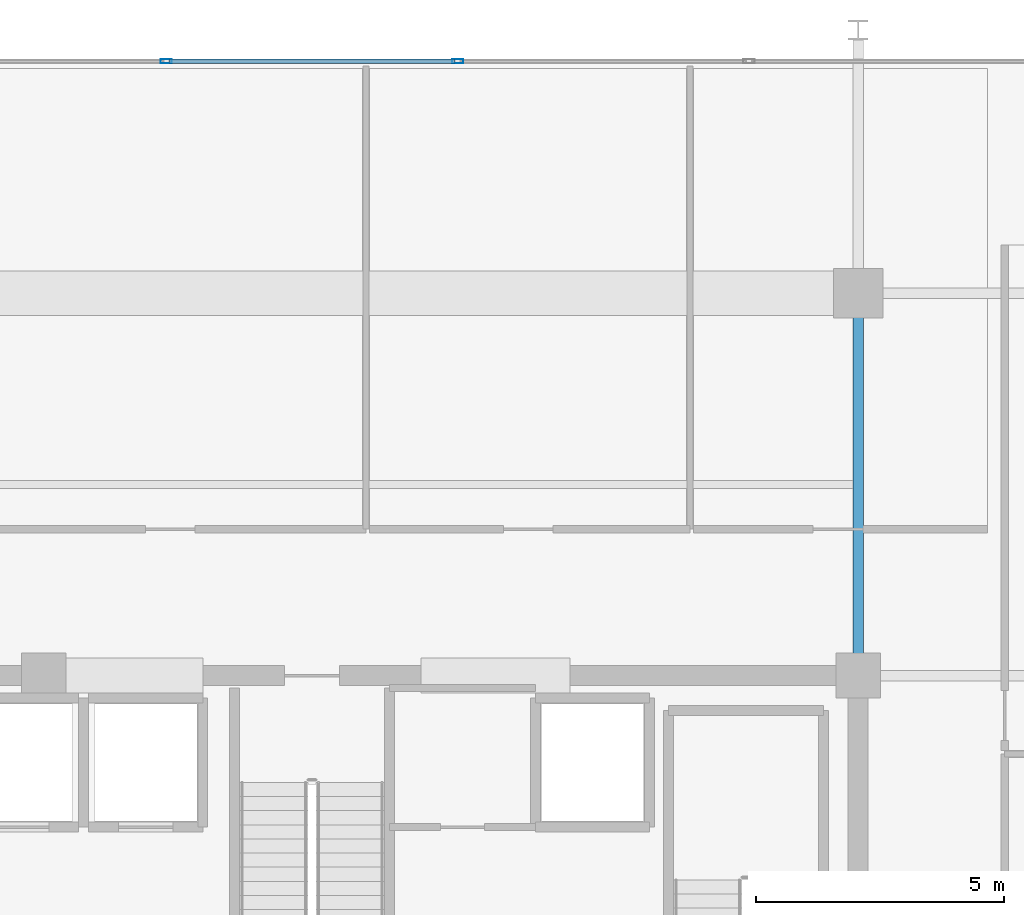
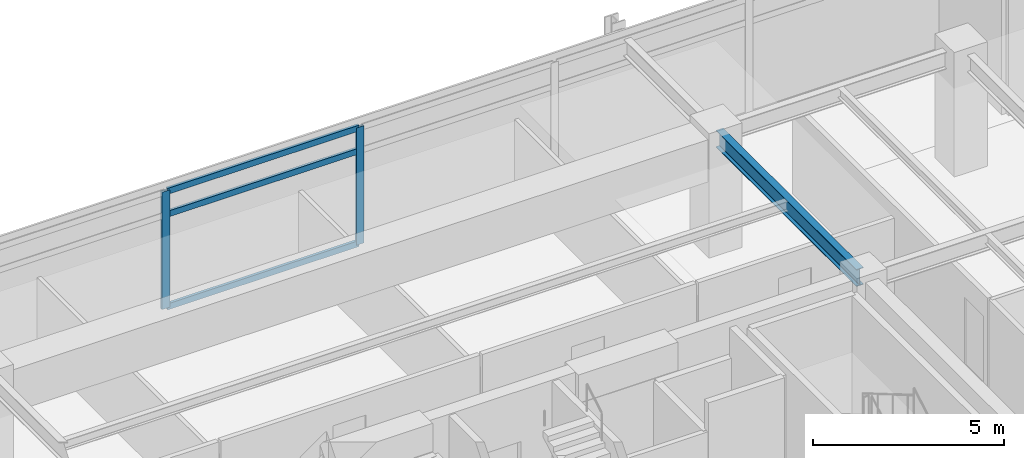
# One storey, part 10 of 21: 5 members, 1 beam, 1 element without a shape of its own.
"""IFC4 building model written with IfcOpenShell, lengths in metres."""

import ifcopenshell
import ifcopenshell.guid

model = None  # the IFC model being written
_history = None  # IfcOwnerHistory: only IFC2X3 demands one
_inside = {}  # id of a spatial element -> (the spatial element, [elements in it])
_under = {}  # id of a project, library or spatial element -> (it, [spatial elements below it])
_declared = {}  # id of a project -> (the project, [libraries it declares])
_typed = {}  # id of a type object -> (the type object, [elements of that type])
_made_of = {}  # id of a material, layer set ... -> (it, [elements and type objects made of it])


def new_model(schema):
    """Start an empty IFC model of exactly this schema.

    Asked for "IFC4X3", IfcOpenShell would pick the latest addendum, in which some entities
    have other attributes; the version numbers below select the first issue.
    IFC2X3 requires an IfcOwnerHistory on every rooted entity: one is made here for all.
    """
    global model, _history
    if schema == "IFC4X3":
        model = ifcopenshell.file(schema_version=(4, 3, 0, 0))
    else:
        model = ifcopenshell.file(schema=schema)
    _inside.clear()
    _under.clear()
    _declared.clear()
    _typed.clear()
    _made_of.clear()
    _history = None
    if model.schema == "IFC2X3":
        org = make("IfcOrganization", Name="unknown")
        user = make(
            "IfcPersonAndOrganization",
            ThePerson=make("IfcPerson", FamilyName="unknown"),
            TheOrganization=org,
        )
        app = make(
            "IfcApplication",
            ApplicationDeveloper=org,
            Version="unknown",
            ApplicationFullName="unknown",
            ApplicationIdentifier="unknown",
        )
        _history = make(
            "IfcOwnerHistory",
            OwningUser=user,
            OwningApplication=app,
            ChangeAction="ADDED",
            CreationDate=0,
        )
    return model


def make(cls, **values):
    """One entity of the class cls with the attributes given. An attribute that is None is left unset."""
    return model.create_entity(
        cls, **{name: value for name, value in values.items() if value is not None}
    )


def rooted(cls, **values):
    """An entity with a GlobalId (a new one), such as an element, a storey or a relation."""
    return make(cls, GlobalId=ifcopenshell.guid.new(), OwnerHistory=_history, **values)


def si_unit(unit_type, name, prefix=None):
    """IfcSIUnit, for example si_unit("LENGTHUNIT", "METRE", prefix="MILLI")."""
    return make("IfcSIUnit", UnitType=unit_type, Prefix=prefix, Name=name)


def assignment(units):
    """IfcUnitAssignment: the units of a project."""
    return None if units is None else make("IfcUnitAssignment", Units=units)


def point(xyz):
    """IfcCartesianPoint."""
    return None if xyz is None else make("IfcCartesianPoint", Coordinates=xyz)


def direction(xyz):
    """IfcDirection."""
    return None if xyz is None else make("IfcDirection", DirectionRatios=xyz)


def frame(location, z_axis=None, x_axis=None):
    """IfcAxis2Placement3D, a coordinate frame: its origin and axes. An axis left out is left unset."""
    return make(
        "IfcAxis2Placement3D",
        Location=point(location),
        Axis=direction(z_axis),
        RefDirection=direction(x_axis),
    )


def frame_2d(location, x_axis=None):
    """IfcAxis2Placement2D, a coordinate frame in the plane: its origin and x axis."""
    return make(
        "IfcAxis2Placement2D", Location=point(location), RefDirection=direction(x_axis)
    )


def origin():
    """The frame at (0, 0, 0) with its axes left unset."""
    return frame((0.0, 0.0, 0.0))


def origin_2d():
    """The frame at (0, 0) in the plane with its x axis left unset."""
    return frame_2d((0.0, 0.0))


def place(relative_to, where):
    """IfcLocalPlacement: puts the frame where relative to a parent placement (None: the world)."""
    return make(
        "IfcLocalPlacement", PlacementRelTo=relative_to, RelativePlacement=where
    )


def context(
    kind, dimensions, precision=None, world=None, true_north=None, identifier=None
):
    """IfcGeometricRepresentationContext, for example the 3D "Model" context."""
    return make(
        "IfcGeometricRepresentationContext",
        ContextIdentifier=identifier,
        ContextType=kind,
        CoordinateSpaceDimension=dimensions,
        Precision=precision,
        WorldCoordinateSystem=world,
        TrueNorth=true_north,
    )


def subcontext(parent, identifier, kind, view, scale=None):
    """IfcGeometricRepresentationSubContext, for example "Body" below "Model"."""
    return make(
        "IfcGeometricRepresentationSubContext",
        ContextIdentifier=identifier,
        ContextType=kind,
        ParentContext=parent,
        TargetScale=scale,
        TargetView=view,
    )


def project(units=None, contexts=None):
    """IfcProject with its units and contexts."""
    return rooted(
        "IfcProject",
        Name="project",
        RepresentationContexts=contexts,
        UnitsInContext=assignment(units),
    )


def spatial(cls, under=None, at=None, **own):
    """A site, building, storey or space (cls), placed at a placement, below another one or the project."""
    s = rooted(cls, ObjectPlacement=at, **own)
    if under is not None:
        _under.setdefault(under.id(), (under, []))[1].append(s)
    return s


def profile(cls, at=None, kind="AREA", **sizes):
    """A parametric profile (cls). Its sizes go by their IFC names, for example OverallWidth=200.0."""
    return make(cls, ProfileType=kind, Position=at, **sizes)


def hollow_rectangle(**sizes):
    """IfcRectangleHollowProfileDef."""
    return profile("IfcRectangleHollowProfileDef", **sizes)


def i_section(**sizes):
    """IfcIShapeProfileDef."""
    return profile("IfcIShapeProfileDef", **sizes)


def extrude(swept, where, along, depth):
    """IfcExtrudedAreaSolid: the profile swept, set in the frame where, extruded along a direction by depth."""
    return make(
        "IfcExtrudedAreaSolid",
        SweptArea=swept,
        Position=where,
        ExtrudedDirection=direction(along),
        Depth=depth,
    )


def shape(context_of_items, identifier, shape_type, items):
    """IfcShapeRepresentation: the items that make up one representation, for example the "Body"."""
    return make(
        "IfcShapeRepresentation",
        ContextOfItems=context_of_items,
        RepresentationIdentifier=identifier,
        RepresentationType=shape_type,
        Items=items,
    )


def material(Name=None, Category=None):
    """IfcMaterial."""
    return make("IfcMaterial", Name=Name, Category=Category)


def material_profile(
    of_material, cross_section, Name=None, Category=None, Priority=None
):
    """IfcMaterialProfile: a cross section and its material."""
    return make(
        "IfcMaterialProfile",
        Name=Name,
        Material=of_material,
        Profile=cross_section,
        Priority=Priority,
        Category=Category,
    )


def profile_set(profiles, Name=None, composite=None):
    """IfcMaterialProfileSet."""
    return make(
        "IfcMaterialProfileSet",
        Name=Name,
        MaterialProfiles=profiles,
        CompositeProfile=composite,
    )


def made_of(thing, what):
    """Note that an element or type object is made of a material, layer set ...; save() writes the relation."""
    if what is not None:
        _made_of.setdefault(what.id(), (what, []))[1].append(thing)
    return thing


def type_object(cls, material=None, **own):
    """A type object (cls), such as IfcWallType, which elements share."""
    return made_of(rooted(cls, **own), material)


def element(
    cls,
    number,
    at=None,
    inside=None,
    cuts=None,
    type_object=None,
    material=None,
    context=None,
    identifier="Body",
    shape_type=None,
    held_by="IfcProductDefinitionShape",
    body=None,
    shapes=None,
    **own,
):
    """One element of the class cls, such as IfcWall. Its Tag is "e" and its number.

    at: its placement. inside: the storey or other place that contains it. cuts: it is an
    opening in that element (IfcRelVoidsElement). A single representation is given by context,
    identifier, shape_type and body (its items); several are given by shapes. held_by: the class
    of the entity that holds the representations. save() writes the other relations.
    """
    e = rooted(cls, Tag="e%d" % number, ObjectPlacement=at, **own)
    if body is not None:
        shapes = [shape(context, identifier, shape_type, body)]
    if shapes is not None:
        e.Representation = make(held_by, Representations=shapes)
    if inside is not None:
        _inside.setdefault(inside.id(), (inside, []))[1].append(e)
    if cuts is not None:
        rooted(
            "IfcRelVoidsElement", RelatingBuildingElement=cuts, RelatedOpeningElement=e
        )
    if type_object is not None:
        _typed.setdefault(type_object.id(), (type_object, []))[1].append(e)
    return made_of(e, material)


def aggregate(whole, parts):
    """IfcRelAggregates: a whole, such as a stair, and the parts it consists of."""
    return rooted("IfcRelAggregates", RelatingObject=whole, RelatedObjects=parts)


def save(model, path):
    """Write the relations noted so far, then the file.

    IfcRelAggregates (storeys below a building ...), IfcRelContainedInSpatialStructure (elements
    in a storey), IfcRelDefinesByType, IfcRelAssociatesMaterial and IfcRelDeclares: one each for
    every whole, place, type object, material and project.
    """
    for whole, parts in _under.values():
        aggregate(whole, parts)
    for where, things in _inside.values():
        rooted(
            "IfcRelContainedInSpatialStructure",
            RelatedElements=things,
            RelatingStructure=where,
        )
    for kind, things in _typed.values():
        rooted("IfcRelDefinesByType", RelatedObjects=things, RelatingType=kind)
    for what, things in _made_of.values():
        rooted("IfcRelAssociatesMaterial", RelatedObjects=things, RelatingMaterial=what)
    for by, libraries in _declared.values():
        rooted("IfcRelDeclares", RelatingContext=by, RelatedDefinitions=libraries)
    model.write(path)


model = new_model("IFC4")

# Units and contexts
model_context = context("Model", 3, precision=1e-05, world=origin(), true_north=direction((0.0, 1.0)))
body_context = subcontext(model_context, "Body", "Model", "MODEL_VIEW")
ifc_project = project(units=[si_unit("LENGTHUNIT", "METRE"), si_unit("AREAUNIT", "SQUARE_METRE"), si_unit("VOLUMEUNIT", "CUBIC_METRE"), si_unit("PLANEANGLEUNIT", "RADIAN"), si_unit("MASSUNIT", "GRAM", prefix="KILO")], contexts=[model_context])

# Site, building, storey
site_placement = place(None, origin())
site = spatial("IfcSite", under=ifc_project, at=site_placement, CompositionType="ELEMENT")
building_placement = place(site_placement, origin())
building = spatial("IfcBuilding", under=site, at=building_placement, Name="Kovane Verandah Tower", CompositionType="ELEMENT")
storey_placement = place(building_placement, frame((0.0, 0.0, 310.800048828125)))
storey = spatial("IfcBuildingStorey", under=building, at=storey_placement, Name="L72", CompositionType="ELEMENT", Elevation=310.800048828125)

# Beam
ifc_material_1 = material(Name="Steel S355", Category="steel")
ifc_material_profile_1 = material_profile(ifc_material_1, i_section(OverallWidth=0.2119140625, OverallDepth=0.54443359375, WebThickness=0.0126953125, FlangeThickness=0.021240234375, FilletRadius=0.0126953125, at=origin_2d()), Name="UB533x210x122")
ifc_profile_set_1 = profile_set([ifc_material_profile_1], Name="Steel S355")
beam_type = type_object("IfcBeamType", Name="BM-UB533x122", PredefinedType="BEAM", material=ifc_profile_set_1)
beam_placement = place(storey_placement, frame((51.0, 36.679931640625, 3.5126953125), z_axis=(0.0, 1.0, 0.0), x_axis=(-1.0, 0.0, 0.0)))
element("IfcBeam", 1, at=beam_placement, inside=storey, type_object=beam_type, Name="L72 Primary Tower Girder G-N2", PredefinedType="BEAM", context=body_context, shape_type="SweptSolid", body=[
    extrude(i_section(OverallWidth=0.2119140625, OverallDepth=0.54443359375, WebThickness=0.0126953125, FlangeThickness=0.021240234375, FilletRadius=0.0126953125, at=origin_2d()), origin(), (0.0, 0.0, 1.0), 7.340087890625),
])

# Curtain wall, members
ifc_material_2 = material(Name="Champagne Anodised Aluminium Frame with Low-E Clear Laminated Glass", Category="aluminium")
curtain_wall_type = type_object("IfcCurtainWallType", Name="CW-SYS-05-HIGH", PredefinedType="NOTDEFINED", material=ifc_material_2)
curtain_wall_placement = place(storey_placement, origin())
curtain_wall = element("IfcCurtainWall", 2, at=curtain_wall_placement, inside=storey, type_object=curtain_wall_type, Name="L72 N Unitised Curtain Wall", PredefinedType="NOTDEFINED")
ifc_material_3 = material(Name="Champagne Anodised Aluminium 6063-T6", Category="aluminium")
ifc_material_profile_2 = material_profile(ifc_material_3, hollow_rectangle(XDim=0.0849609375, YDim=0.22998046875, WallThickness=0.00390625, at=origin_2d()), Name="AL85x230x4")
ifc_profile_set_2 = profile_set([ifc_material_profile_2], Name="Champagne Anodised Aluminium 6063-T6")
member_type_1 = type_object("IfcMemberType", Name="CW-MUL-85x230", PredefinedType="MULLION", material=ifc_profile_set_2)
member_1_placement = place(storey_placement, frame((42.934814453125, 48.872314453125, 0.02001953125), z_axis=(0.0, 0.0, 1.0), x_axis=(0.0, 1.0, 0.0)))
member_1 = element("IfcMember", 3, at=member_1_placement, type_object=member_type_1, Name="L72 N Unitised Curtain Wall Mullion 4", PredefinedType="MULLION", context=body_context, shape_type="SweptSolid", body=[
    extrude(hollow_rectangle(XDim=0.0849609375, YDim=0.22998046875, WallThickness=0.00390625, at=origin_2d()), origin(), (0.0, 0.0, 1.0), 3.744873046875),
])
member_2_placement = place(storey_placement, frame((37.065185546875, 48.872314453125, 0.02001953125), z_axis=(0.0, 0.0, 1.0), x_axis=(0.0, 1.0, 0.0)))
member_2 = element("IfcMember", 4, at=member_2_placement, type_object=member_type_1, Name="L72 N Unitised Curtain Wall Mullion 5", PredefinedType="MULLION", context=body_context, shape_type="SweptSolid", body=[
    extrude(hollow_rectangle(XDim=0.0849609375, YDim=0.22998046875, WallThickness=0.00390625, at=origin_2d()), origin(), (0.0, 0.0, 1.0), 3.744873046875),
])
ifc_material_profile_3 = material_profile(ifc_material_3, hollow_rectangle(XDim=0.0849609375, YDim=0.18994140625, WallThickness=0.00390625, at=origin_2d()), Name="AL85x190x4")
ifc_profile_set_3 = profile_set([ifc_material_profile_3], Name="Champagne Anodised Aluminium 6063-T6")
member_type_2 = type_object("IfcMemberType", Name="CW-TRN-85x190", PredefinedType="USERDEFINED", material=ifc_profile_set_3)
member_3_placement = place(storey_placement, frame((42.885009765625, 48.872314453125, 0.050048828125), z_axis=(-1.0, 0.0, 0.0), x_axis=(0.0, -1.0, 0.0)))
member_3 = element("IfcMember", 5, at=member_3_placement, type_object=member_type_2, Name="L72 N Unitised Curtain Wall Transom TB Bay 4", ObjectType="TRANSOM", PredefinedType="USERDEFINED", context=body_context, shape_type="SweptSolid", body=[
    extrude(hollow_rectangle(XDim=0.0849609375, YDim=0.18994140625, WallThickness=0.00390625, at=origin_2d()), origin(), (0.0, 0.0, 1.0), 5.77001953125),
])
member_4_placement = place(storey_placement, frame((42.885009765625, 48.872314453125, 3.0048828125), z_axis=(-1.0, 0.0, 0.0), x_axis=(0.0, -1.0, 0.0)))
member_4 = element("IfcMember", 6, at=member_4_placement, type_object=member_type_2, Name="L72 N Unitised Curtain Wall Transom TM Bay 4", ObjectType="TRANSOM", PredefinedType="USERDEFINED", context=body_context, shape_type="SweptSolid", body=[
    extrude(hollow_rectangle(XDim=0.0849609375, YDim=0.18994140625, WallThickness=0.00390625, at=origin_2d()), origin(), (0.0, 0.0, 1.0), 5.77001953125),
])
member_5_placement = place(storey_placement, frame((42.885009765625, 48.872314453125, 3.73486328125), z_axis=(-1.0, 0.0, 0.0), x_axis=(0.0, -1.0, 0.0)))
member_5 = element("IfcMember", 7, at=member_5_placement, type_object=member_type_2, Name="L72 N Unitised Curtain Wall Transom TT Bay 4", ObjectType="TRANSOM", PredefinedType="USERDEFINED", context=body_context, shape_type="SweptSolid", body=[
    extrude(hollow_rectangle(XDim=0.0849609375, YDim=0.18994140625, WallThickness=0.00390625, at=origin_2d()), origin(), (0.0, 0.0, 1.0), 5.77001953125),
])
aggregate(curtain_wall, [member_1, member_2, member_3, member_4, member_5])

save(model, "model.ifc")
